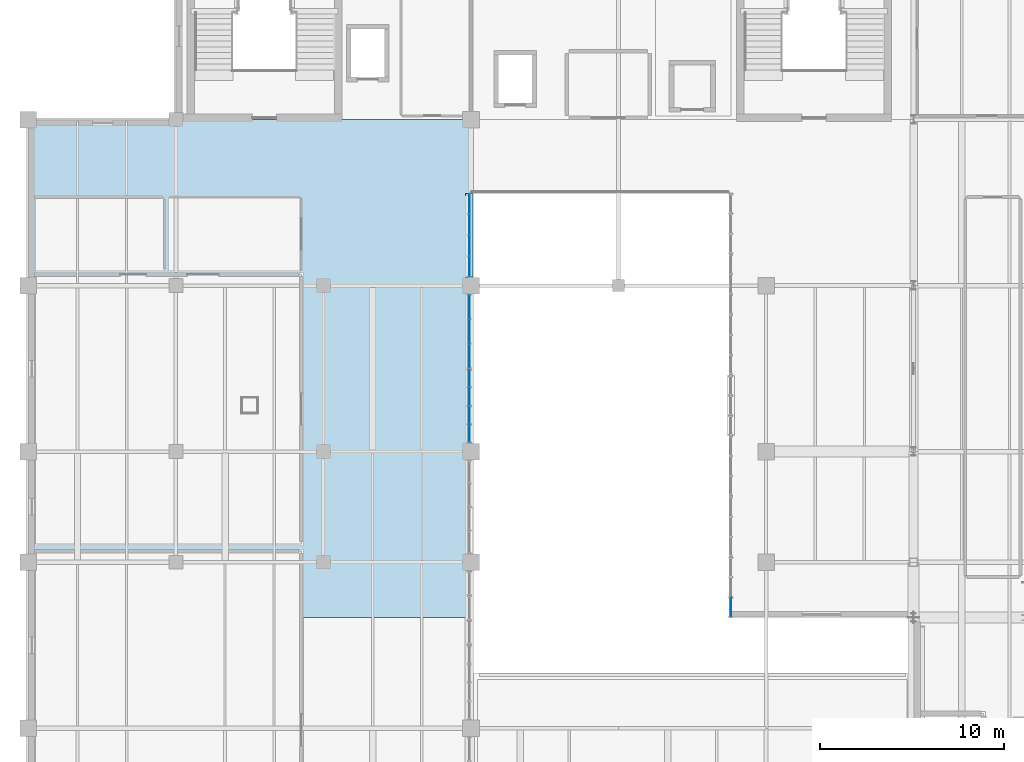
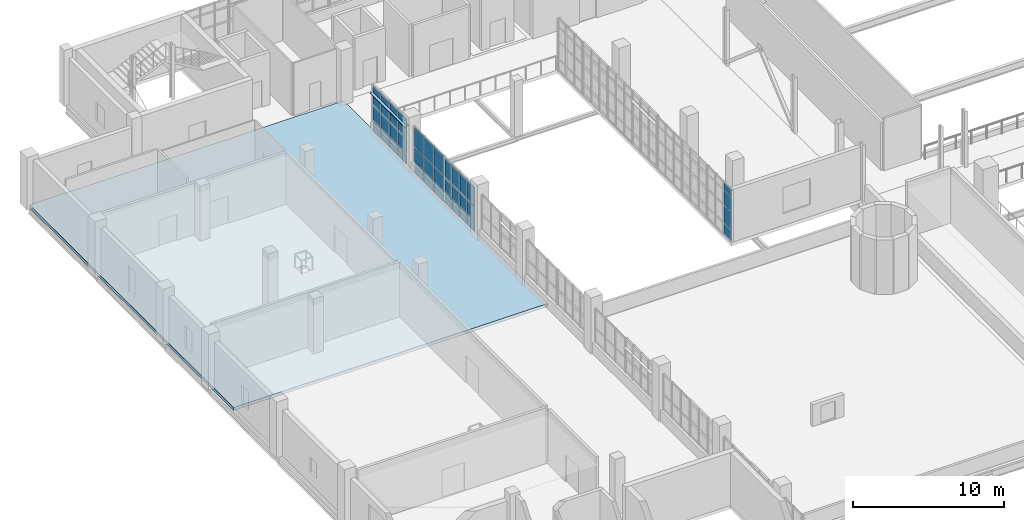
# One storey, part 53 of 85: 38 plates, 1 slab, 4 elements without a shape of their own.
"""IFC4 building model written with IfcOpenShell, lengths in metres."""

from ifc_helpers import new_model, si_unit, derived_unit, direction, frame, origin, origin_2d, place, context, subcontext, project, spatial, polyline, rectangle, outline, extrude, material, layer, layer_set, type_object, element, aggregate, save


model = new_model("IFC4")

# Units and contexts
model_context = context("Model", 3, precision=1e-05, world=origin(), true_north=direction((0.0, 1.0)))
body_context = subcontext(model_context, "Body", "Model", "MODEL_VIEW")
ifc_project = project(units=[si_unit("LENGTHUNIT", "METRE"), si_unit("AREAUNIT", "SQUARE_METRE"), si_unit("VOLUMEUNIT", "CUBIC_METRE"), si_unit("PLANEANGLEUNIT", "RADIAN"), si_unit("MASSUNIT", "GRAM", prefix="KILO"), derived_unit("THERMALTRANSMITTANCEUNIT", [(si_unit("POWERUNIT", "WATT"), 1), (si_unit("LENGTHUNIT", "METRE"), -2), (si_unit("THERMODYNAMICTEMPERATUREUNIT", "KELVIN"), -1)])], contexts=[model_context])

# Site, building, storey
site_placement = place(None, origin())
site = spatial("IfcSite", under=ifc_project, at=site_placement, CompositionType="ELEMENT")
building_placement = place(site_placement, origin())
building = spatial("IfcBuilding", under=site, at=building_placement, Name="Nallur Shell Playhouse", CompositionType="ELEMENT")
storey_placement = place(building_placement, frame((0.0, 0.0, 19.800048828125)))
storey = spatial("IfcBuildingStorey", under=building, at=storey_placement, Name="L05", CompositionType="ELEMENT", Elevation=19.800048828125)

# Curtain wall, plates
ifc_material_1 = material(Name="Anodised Aluminium Double-Glazed Facade System", Category="aluminium")
ifc_layer_1 = layer(ifc_material_1, 0.159912109375)
ifc_layer_set_1 = layer_set([ifc_layer_1], Name="Anodised Aluminium Double-Glazed Facade System")
curtain_wall_type_1 = type_object("IfcCurtainWallType", Name="CW-UNIT-12", PredefinedType="NOTDEFINED", material=ifc_layer_set_1)
curtain_wall_1_placement = place(storey_placement, origin())
curtain_wall_1 = element("IfcCurtainWall", 1, at=curtain_wall_1_placement, inside=storey, type_object=curtain_wall_type_1, Name="Unitised curtain wall CW-172 (L05)", PredefinedType="NOTDEFINED")
ifc_material_2 = material(Name="Solar-Control Low-E Laminated Insulating Glass", Category="glass")
ifc_layer_2 = layer(ifc_material_2, 0.031982421875)
ifc_layer_set_2 = layer_set([ifc_layer_2], Name="Solar-Control Low-E Laminated Insulating Glass")
plate_type_1 = type_object("IfcPlateType", Name="PT-GLZ-04", PredefinedType="CURTAIN_PANEL", material=ifc_layer_set_2)
plate_1_placement = place(storey_placement, frame((39.909912109375, 69.416015625, 0.091796875), z_axis=(0.0, 0.0, 1.0), x_axis=(0.0, -1.0, 0.0)))
plate_1 = element("IfcPlate", 2, at=plate_1_placement, type_object=plate_type_1, Name="CW-12 panel 1.1", PredefinedType="CURTAIN_PANEL", context=body_context, shape_type="SweptSolid", body=[
    extrude(rectangle(XDim=1.053955078125, YDim=0.031982421875, at=origin_2d()), origin(), (0.0, 0.0, 1.0), 0.76611328125),
])
plate_2_placement = place(storey_placement, frame((39.909912109375, 69.416015625, 0.94189453125), z_axis=(0.0, 0.0, 1.0), x_axis=(0.0, -1.0, 0.0)))
plate_2 = element("IfcPlate", 3, at=plate_2_placement, type_object=plate_type_1, Name="CW-12 panel 1.2", PredefinedType="CURTAIN_PANEL", context=body_context, shape_type="SweptSolid", body=[
    extrude(rectangle(XDim=1.053955078125, YDim=0.031982421875, at=origin_2d()), origin(), (0.0, 0.0, 1.0), 1.1640625),
])
plate_3_placement = place(storey_placement, frame((39.909912109375, 69.416015625, 2.18994140625), z_axis=(0.0, 0.0, 1.0), x_axis=(0.0, -1.0, 0.0)))
plate_3 = element("IfcPlate", 4, at=plate_3_placement, type_object=plate_type_1, Name="CW-12 panel 1.3", PredefinedType="CURTAIN_PANEL", context=body_context, shape_type="SweptSolid", body=[
    extrude(rectangle(XDim=1.053955078125, YDim=0.031982421875, at=origin_2d()), origin(), (0.0, 0.0, 1.0), 1.552978515625),
])
plate_4_placement = place(storey_placement, frame((39.909912109375, 68.296630859375, 0.091796875), z_axis=(0.0, 0.0, 1.0), x_axis=(0.0, -1.0, 0.0)))
plate_4 = element("IfcPlate", 5, at=plate_4_placement, type_object=plate_type_1, Name="CW-12 panel 2.1", PredefinedType="CURTAIN_PANEL", context=body_context, shape_type="SweptSolid", body=[
    extrude(rectangle(XDim=1.08642578125, YDim=0.031982421875, at=origin_2d()), origin(), (0.0, 0.0, 1.0), 0.76611328125),
])
plate_5_placement = place(storey_placement, frame((39.909912109375, 68.296630859375, 0.94189453125), z_axis=(0.0, 0.0, 1.0), x_axis=(0.0, -1.0, 0.0)))
plate_5 = element("IfcPlate", 6, at=plate_5_placement, type_object=plate_type_1, Name="CW-12 panel 2.2", PredefinedType="CURTAIN_PANEL", context=body_context, shape_type="SweptSolid", body=[
    extrude(rectangle(XDim=1.08642578125, YDim=0.031982421875, at=origin_2d()), origin(), (0.0, 0.0, 1.0), 1.1640625),
])
plate_6_placement = place(storey_placement, frame((39.909912109375, 68.296630859375, 2.18994140625), z_axis=(0.0, 0.0, 1.0), x_axis=(0.0, -1.0, 0.0)))
plate_6 = element("IfcPlate", 7, at=plate_6_placement, type_object=plate_type_1, Name="CW-12 panel 2.3", PredefinedType="CURTAIN_PANEL", context=body_context, shape_type="SweptSolid", body=[
    extrude(rectangle(XDim=1.08642578125, YDim=0.031982421875, at=origin_2d()), origin(), (0.0, 0.0, 1.0), 1.552978515625),
])
plate_7_placement = place(storey_placement, frame((39.909912109375, 67.1611328125, 0.091796875), z_axis=(0.0, 0.0, 1.0), x_axis=(0.0, -1.0, 0.0)))
plate_7 = element("IfcPlate", 8, at=plate_7_placement, type_object=plate_type_1, Name="CW-12 panel 3.1", PredefinedType="CURTAIN_PANEL", context=body_context, shape_type="SweptSolid", body=[
    extrude(rectangle(XDim=1.08642578125, YDim=0.031982421875, at=origin_2d()), origin(), (0.0, 0.0, 1.0), 0.76611328125),
])
plate_8_placement = place(storey_placement, frame((39.909912109375, 67.1611328125, 0.94189453125), z_axis=(0.0, 0.0, 1.0), x_axis=(0.0, -1.0, 0.0)))
plate_8 = element("IfcPlate", 9, at=plate_8_placement, type_object=plate_type_1, Name="CW-12 panel 3.2", PredefinedType="CURTAIN_PANEL", context=body_context, shape_type="SweptSolid", body=[
    extrude(rectangle(XDim=1.08642578125, YDim=0.031982421875, at=origin_2d()), origin(), (0.0, 0.0, 1.0), 1.1640625),
])
plate_9_placement = place(storey_placement, frame((39.909912109375, 67.1611328125, 2.18994140625), z_axis=(0.0, 0.0, 1.0), x_axis=(0.0, -1.0, 0.0)))
plate_9 = element("IfcPlate", 10, at=plate_9_placement, type_object=plate_type_1, Name="CW-12 panel 3.3", PredefinedType="CURTAIN_PANEL", context=body_context, shape_type="SweptSolid", body=[
    extrude(rectangle(XDim=1.08642578125, YDim=0.031982421875, at=origin_2d()), origin(), (0.0, 0.0, 1.0), 1.552978515625),
])
plate_10_placement = place(storey_placement, frame((39.909912109375, 66.0419921875, 0.091796875), z_axis=(0.0, 0.0, 1.0), x_axis=(0.0, -1.0, 0.0)))
plate_10 = element("IfcPlate", 11, at=plate_10_placement, type_object=plate_type_1, Name="CW-12 panel 4.1", PredefinedType="CURTAIN_PANEL", context=body_context, shape_type="SweptSolid", body=[
    extrude(rectangle(XDim=1.053955078125, YDim=0.031982421875, at=origin_2d()), origin(), (0.0, 0.0, 1.0), 0.76611328125),
])
plate_11_placement = place(storey_placement, frame((39.909912109375, 66.0419921875, 0.94189453125), z_axis=(0.0, 0.0, 1.0), x_axis=(0.0, -1.0, 0.0)))
plate_11 = element("IfcPlate", 12, at=plate_11_placement, type_object=plate_type_1, Name="CW-12 panel 4.2", PredefinedType="CURTAIN_PANEL", context=body_context, shape_type="SweptSolid", body=[
    extrude(rectangle(XDim=1.053955078125, YDim=0.031982421875, at=origin_2d()), origin(), (0.0, 0.0, 1.0), 1.1640625),
])
plate_12_placement = place(storey_placement, frame((39.909912109375, 66.0419921875, 2.18994140625), z_axis=(0.0, 0.0, 1.0), x_axis=(0.0, -1.0, 0.0)))
plate_12 = element("IfcPlate", 13, at=plate_12_placement, type_object=plate_type_1, Name="CW-12 panel 4.3", PredefinedType="CURTAIN_PANEL", context=body_context, shape_type="SweptSolid", body=[
    extrude(rectangle(XDim=1.053955078125, YDim=0.031982421875, at=origin_2d()), origin(), (0.0, 0.0, 1.0), 1.552978515625),
])
aggregate(curtain_wall_1, [plate_1, plate_2, plate_3, plate_4, plate_5, plate_6, plate_7, plate_8, plate_9, plate_10, plate_11, plate_12])

ifc_layer_3 = layer(ifc_material_1, 0.179931640625)
ifc_layer_set_3 = layer_set([ifc_layer_3], Name="Anodised Aluminium Double-Glazed Facade System")
curtain_wall_type_2 = type_object("IfcCurtainWallType", Name="CW-UNIT-05", PredefinedType="NOTDEFINED", material=ifc_layer_set_3)
curtain_wall_2_placement = place(storey_placement, origin())
curtain_wall_2 = element("IfcCurtainWall", 14, at=curtain_wall_2_placement, inside=storey, type_object=curtain_wall_type_2, Name="Unitised curtain wall CW-165 (L05)", PredefinedType="NOTDEFINED")
ifc_layer_4 = layer(ifc_material_2, 0.033935546875)
ifc_layer_set_4 = layer_set([ifc_layer_4], Name="Solar-Control Low-E Laminated Insulating Glass")
plate_type_2 = type_object("IfcPlateType", Name="PT-GLZ-05", PredefinedType="CURTAIN_PANEL", material=ifc_layer_set_4)
plate_13_placement = place(storey_placement, frame((54.090087890625, 47.5654296875, 0.05712890625), z_axis=(0.0, 0.0, 1.0), x_axis=(0.0, 1.0, 0.0)))
plate_13 = element("IfcPlate", 15, at=plate_13_placement, type_object=plate_type_2, Name="CW-05 panel 1.1", PredefinedType="CURTAIN_PANEL", context=body_context, shape_type="SweptSolid", body=[
    extrude(rectangle(XDim=0.9970703125, YDim=0.033935546875, at=origin_2d()), origin(), (0.0, 0.0, 1.0), 0.818603515625),
])
plate_14_placement = place(storey_placement, frame((54.090087890625, 47.5654296875, 0.924560546875), z_axis=(0.0, 0.0, 1.0), x_axis=(0.0, 1.0, 0.0)))
plate_14 = element("IfcPlate", 16, at=plate_14_placement, type_object=plate_type_2, Name="CW-05 panel 1.2", PredefinedType="CURTAIN_PANEL", context=body_context, shape_type="SweptSolid", body=[
    extrude(rectangle(XDim=0.9970703125, YDim=0.033935546875, at=origin_2d()), origin(), (0.0, 0.0, 1.0), 1.419921875),
])
plate_15_placement = place(storey_placement, frame((54.090087890625, 47.5654296875, 2.3935546875), z_axis=(0.0, 0.0, 1.0), x_axis=(0.0, 1.0, 0.0)))
plate_15 = element("IfcPlate", 17, at=plate_15_placement, type_object=plate_type_2, Name="CW-05 panel 1.3", PredefinedType="CURTAIN_PANEL", context=body_context, shape_type="SweptSolid", body=[
    extrude(rectangle(XDim=0.9970703125, YDim=0.033935546875, at=origin_2d()), origin(), (0.0, 0.0, 1.0), 1.132080078125),
])
plate_16_placement = place(storey_placement, frame((54.090087890625, 47.5654296875, 3.57470703125), z_axis=(0.0, 0.0, 1.0), x_axis=(0.0, 1.0, 0.0)))
plate_16 = element("IfcPlate", 18, at=plate_16_placement, type_object=plate_type_2, Name="CW-05 panel 1.4", PredefinedType="CURTAIN_PANEL", context=body_context, shape_type="SweptSolid", body=[
    extrude(rectangle(XDim=0.9970703125, YDim=0.033935546875, at=origin_2d()), origin(), (0.0, 0.0, 1.0), 0.598388671875),
])
aggregate(curtain_wall_2, [plate_13, plate_14, plate_15, plate_16])

ifc_layer_5 = layer(ifc_material_1, 0.1640625)
ifc_layer_set_5 = layer_set([ifc_layer_5], Name="Anodised Aluminium Double-Glazed Facade System")
curtain_wall_type_3 = type_object("IfcCurtainWallType", Name="CW-UNIT-13", PredefinedType="NOTDEFINED", material=ifc_layer_set_5)
curtain_wall_3_placement = place(storey_placement, origin())
curtain_wall_3 = element("IfcCurtainWall", 19, at=curtain_wall_3_placement, inside=storey, type_object=curtain_wall_type_3, Name="Unitised curtain wall CW-173 (L05)", PredefinedType="NOTDEFINED")
plate_17_placement = place(storey_placement, frame((39.909912109375, 63.84912109375, 0.05712890625), z_axis=(0.0, 0.0, 1.0), x_axis=(0.0, -1.0, 0.0)))
plate_17 = element("IfcPlate", 20, at=plate_17_placement, type_object=plate_type_2, Name="CW-13 panel 1.1", PredefinedType="CURTAIN_PANEL", context=body_context, shape_type="SweptSolid", body=[
    extrude(rectangle(XDim=1.24169921875, YDim=0.033935546875, at=origin_2d()), origin(), (0.0, 0.0, 1.0), 0.818603515625),
])
plate_18_placement = place(storey_placement, frame((39.909912109375, 63.84912109375, 0.92431640625), z_axis=(0.0, 0.0, 1.0), x_axis=(0.0, -1.0, 0.0)))
plate_18 = element("IfcPlate", 21, at=plate_18_placement, type_object=plate_type_2, Name="CW-13 panel 1.2", PredefinedType="CURTAIN_PANEL", context=body_context, shape_type="SweptSolid", body=[
    extrude(rectangle(XDim=1.24169921875, YDim=0.033935546875, at=origin_2d()), origin(), (0.0, 0.0, 1.0), 1.158935546875),
])
plate_19_placement = place(storey_placement, frame((39.909912109375, 63.84912109375, 2.13232421875), z_axis=(0.0, 0.0, 1.0), x_axis=(0.0, -1.0, 0.0)))
plate_19 = element("IfcPlate", 22, at=plate_19_placement, type_object=plate_type_2, Name="CW-13 panel 1.3", PredefinedType="CURTAIN_PANEL", context=body_context, shape_type="SweptSolid", body=[
    extrude(rectangle(XDim=1.24169921875, YDim=0.033935546875, at=origin_2d()), origin(), (0.0, 0.0, 1.0), 1.575439453125),
])
plate_20_placement = place(storey_placement, frame((39.909912109375, 62.5234375, 0.05712890625), z_axis=(0.0, 0.0, 1.0), x_axis=(0.0, -1.0, 0.0)))
plate_20 = element("IfcPlate", 23, at=plate_20_placement, type_object=plate_type_2, Name="CW-13 panel 2.1", PredefinedType="CURTAIN_PANEL", context=body_context, shape_type="SweptSolid", body=[
    extrude(rectangle(XDim=1.28173828125, YDim=0.033935546875, at=origin_2d()), origin(), (0.0, 0.0, 1.0), 0.818603515625),
])
plate_21_placement = place(storey_placement, frame((39.909912109375, 62.5234375, 0.92431640625), z_axis=(0.0, 0.0, 1.0), x_axis=(0.0, -1.0, 0.0)))
plate_21 = element("IfcPlate", 24, at=plate_21_placement, type_object=plate_type_2, Name="CW-13 panel 2.2", PredefinedType="CURTAIN_PANEL", context=body_context, shape_type="SweptSolid", body=[
    extrude(rectangle(XDim=1.28173828125, YDim=0.033935546875, at=origin_2d()), origin(), (0.0, 0.0, 1.0), 1.158935546875),
])
plate_22_placement = place(storey_placement, frame((39.909912109375, 62.5234375, 2.13232421875), z_axis=(0.0, 0.0, 1.0), x_axis=(0.0, -1.0, 0.0)))
plate_22 = element("IfcPlate", 25, at=plate_22_placement, type_object=plate_type_2, Name="CW-13 panel 2.3", PredefinedType="CURTAIN_PANEL", context=body_context, shape_type="SweptSolid", body=[
    extrude(rectangle(XDim=1.28173828125, YDim=0.033935546875, at=origin_2d()), origin(), (0.0, 0.0, 1.0), 1.575439453125),
])
plate_23_placement = place(storey_placement, frame((39.909912109375, 61.19775390625, 0.05712890625), z_axis=(0.0, 0.0, 1.0), x_axis=(0.0, -1.0, 0.0)))
plate_23 = element("IfcPlate", 26, at=plate_23_placement, type_object=plate_type_2, Name="CW-13 panel 3.1", PredefinedType="CURTAIN_PANEL", context=body_context, shape_type="SweptSolid", body=[
    extrude(rectangle(XDim=1.24169921875, YDim=0.033935546875, at=origin_2d()), origin(), (0.0, 0.0, 1.0), 0.818603515625),
])
plate_24_placement = place(storey_placement, frame((39.909912109375, 61.19775390625, 0.92431640625), z_axis=(0.0, 0.0, 1.0), x_axis=(0.0, -1.0, 0.0)))
plate_24 = element("IfcPlate", 27, at=plate_24_placement, type_object=plate_type_2, Name="CW-13 panel 3.2", PredefinedType="CURTAIN_PANEL", context=body_context, shape_type="SweptSolid", body=[
    extrude(rectangle(XDim=1.24169921875, YDim=0.033935546875, at=origin_2d()), origin(), (0.0, 0.0, 1.0), 1.158935546875),
])
plate_25_placement = place(storey_placement, frame((39.909912109375, 61.19775390625, 2.13232421875), z_axis=(0.0, 0.0, 1.0), x_axis=(0.0, -1.0, 0.0)))
plate_25 = element("IfcPlate", 28, at=plate_25_placement, type_object=plate_type_2, Name="CW-13 panel 3.3", PredefinedType="CURTAIN_PANEL", context=body_context, shape_type="SweptSolid", body=[
    extrude(rectangle(XDim=1.24169921875, YDim=0.033935546875, at=origin_2d()), origin(), (0.0, 0.0, 1.0), 1.575439453125),
])
aggregate(curtain_wall_3, [plate_17, plate_18, plate_19, plate_20, plate_21, plate_22, plate_23, plate_24, plate_25])

ifc_layer_6 = layer(ifc_material_1, 0.16796875)
ifc_layer_set_6 = layer_set([ifc_layer_6], Name="Anodised Aluminium Double-Glazed Facade System")
curtain_wall_type_4 = type_object("IfcCurtainWallType", Name="CW-UNIT-14", PredefinedType="NOTDEFINED", material=ifc_layer_set_6)
curtain_wall_4_placement = place(storey_placement, origin())
curtain_wall_4 = element("IfcCurtainWall", 29, at=curtain_wall_4_placement, inside=storey, type_object=curtain_wall_type_4, Name="Unitised curtain wall CW-174 (L05)", PredefinedType="NOTDEFINED")
ifc_layer_7 = layer(ifc_material_2, 0.035888671875)
ifc_layer_set_7 = layer_set([ifc_layer_7], Name="Solar-Control Low-E Laminated Insulating Glass")
plate_type_3 = type_object("IfcPlateType", Name="PT-GLZ-06", PredefinedType="CURTAIN_PANEL", material=ifc_layer_set_7)
plate_26_placement = place(storey_placement, frame((39.909912109375, 59.9716796875, 0.091796875), z_axis=(0.0, 0.0, 1.0), x_axis=(0.0, -1.0, 0.0)))
plate_26 = element("IfcPlate", 30, at=plate_26_placement, type_object=plate_type_3, Name="CW-14 panel 1.1", PredefinedType="CURTAIN_PANEL", context=body_context, shape_type="SweptSolid", body=[
    extrude(rectangle(XDim=0.912841796875, YDim=0.035888671875, at=origin_2d()), origin(), (0.0, 0.0, 1.0), 0.76611328125),
])
plate_27_placement = place(storey_placement, frame((39.909912109375, 59.9716796875, 0.94189453125), z_axis=(0.0, 0.0, 1.0), x_axis=(0.0, -1.0, 0.0)))
plate_27 = element("IfcPlate", 31, at=plate_27_placement, type_object=plate_type_3, Name="CW-14 panel 1.2", PredefinedType="CURTAIN_PANEL", context=body_context, shape_type="SweptSolid", body=[
    extrude(rectangle(XDim=0.912841796875, YDim=0.035888671875, at=origin_2d()), origin(), (0.0, 0.0, 1.0), 1.113037109375),
])
plate_28_placement = place(storey_placement, frame((39.909912109375, 59.9716796875, 2.13916015625), z_axis=(0.0, 0.0, 1.0), x_axis=(0.0, -1.0, 0.0)))
plate_28 = element("IfcPlate", 32, at=plate_28_placement, type_object=plate_type_3, Name="CW-14 panel 1.3", PredefinedType="CURTAIN_PANEL", context=body_context, shape_type="SweptSolid", body=[
    extrude(rectangle(XDim=0.912841796875, YDim=0.035888671875, at=origin_2d()), origin(), (0.0, 0.0, 1.0), 1.513916015625),
])
plate_29_placement = place(storey_placement, frame((39.909912109375, 58.981201171875, 0.091796875), z_axis=(0.0, 0.0, 1.0), x_axis=(0.0, -1.0, 0.0)))
plate_29 = element("IfcPlate", 33, at=plate_29_placement, type_object=plate_type_3, Name="CW-14 panel 2.1", PredefinedType="CURTAIN_PANEL", context=body_context, shape_type="SweptSolid", body=[
    extrude(rectangle(XDim=0.9501953125, YDim=0.035888671875, at=origin_2d()), origin(), (0.0, 0.0, 1.0), 0.76611328125),
])
plate_30_placement = place(storey_placement, frame((39.909912109375, 58.981201171875, 0.94189453125), z_axis=(0.0, 0.0, 1.0), x_axis=(0.0, -1.0, 0.0)))
plate_30 = element("IfcPlate", 34, at=plate_30_placement, type_object=plate_type_3, Name="CW-14 panel 2.2", PredefinedType="CURTAIN_PANEL", context=body_context, shape_type="SweptSolid", body=[
    extrude(rectangle(XDim=0.9501953125, YDim=0.035888671875, at=origin_2d()), origin(), (0.0, 0.0, 1.0), 1.113037109375),
])
plate_31_placement = place(storey_placement, frame((39.909912109375, 58.981201171875, 2.13916015625), z_axis=(0.0, 0.0, 1.0), x_axis=(0.0, -1.0, 0.0)))
plate_31 = element("IfcPlate", 35, at=plate_31_placement, type_object=plate_type_3, Name="CW-14 panel 2.3", PredefinedType="CURTAIN_PANEL", context=body_context, shape_type="SweptSolid", body=[
    extrude(rectangle(XDim=0.9501953125, YDim=0.035888671875, at=origin_2d()), origin(), (0.0, 0.0, 1.0), 1.513916015625),
])
plate_32_placement = place(storey_placement, frame((39.909912109375, 57.971923828125, 0.091796875), z_axis=(0.0, 0.0, 1.0), x_axis=(0.0, -1.0, 0.0)))
plate_32 = element("IfcPlate", 36, at=plate_32_placement, type_object=plate_type_3, Name="CW-14 panel 3.1", PredefinedType="CURTAIN_PANEL", context=body_context, shape_type="SweptSolid", body=[
    extrude(rectangle(XDim=0.9501953125, YDim=0.035888671875, at=origin_2d()), origin(), (0.0, 0.0, 1.0), 0.76611328125),
])
plate_33_placement = place(storey_placement, frame((39.909912109375, 57.971923828125, 0.94189453125), z_axis=(0.0, 0.0, 1.0), x_axis=(0.0, -1.0, 0.0)))
plate_33 = element("IfcPlate", 37, at=plate_33_placement, type_object=plate_type_3, Name="CW-14 panel 3.2", PredefinedType="CURTAIN_PANEL", context=body_context, shape_type="SweptSolid", body=[
    extrude(rectangle(XDim=0.9501953125, YDim=0.035888671875, at=origin_2d()), origin(), (0.0, 0.0, 1.0), 1.113037109375),
])
plate_34_placement = place(storey_placement, frame((39.909912109375, 57.971923828125, 2.13916015625), z_axis=(0.0, 0.0, 1.0), x_axis=(0.0, -1.0, 0.0)))
plate_34 = element("IfcPlate", 38, at=plate_34_placement, type_object=plate_type_3, Name="CW-14 panel 3.3", PredefinedType="CURTAIN_PANEL", context=body_context, shape_type="SweptSolid", body=[
    extrude(rectangle(XDim=0.9501953125, YDim=0.035888671875, at=origin_2d()), origin(), (0.0, 0.0, 1.0), 1.513916015625),
])
plate_35_placement = place(storey_placement, frame((39.909912109375, 56.9814453125, 0.091796875), z_axis=(0.0, 0.0, 1.0), x_axis=(0.0, -1.0, 0.0)))
plate_35 = element("IfcPlate", 39, at=plate_35_placement, type_object=plate_type_3, Name="CW-14 panel 4.1", PredefinedType="CURTAIN_PANEL", context=body_context, shape_type="SweptSolid", body=[
    extrude(rectangle(XDim=0.912841796875, YDim=0.035888671875, at=origin_2d()), origin(), (0.0, 0.0, 1.0), 0.76611328125),
])
plate_36_placement = place(storey_placement, frame((39.909912109375, 56.9814453125, 0.94189453125), z_axis=(0.0, 0.0, 1.0), x_axis=(0.0, -1.0, 0.0)))
plate_36 = element("IfcPlate", 40, at=plate_36_placement, type_object=plate_type_3, Name="CW-14 panel 4.2", PredefinedType="CURTAIN_PANEL", context=body_context, shape_type="SweptSolid", body=[
    extrude(rectangle(XDim=0.912841796875, YDim=0.035888671875, at=origin_2d()), origin(), (0.0, 0.0, 1.0), 1.113037109375),
])
plate_37_placement = place(storey_placement, frame((39.909912109375, 56.9814453125, 2.13916015625), z_axis=(0.0, 0.0, 1.0), x_axis=(0.0, -1.0, 0.0)))
plate_37 = element("IfcPlate", 41, at=plate_37_placement, type_object=plate_type_3, Name="CW-14 panel 4.3", PredefinedType="CURTAIN_PANEL", context=body_context, shape_type="SweptSolid", body=[
    extrude(rectangle(XDim=0.912841796875, YDim=0.035888671875, at=origin_2d()), origin(), (0.0, 0.0, 1.0), 1.513916015625),
])
aggregate(curtain_wall_4, [plate_26, plate_27, plate_28, plate_29, plate_30, plate_31, plate_32, plate_33, plate_34, plate_35, plate_36, plate_37])

# Plate
ifc_material_3 = material(Name="Terracotta & Gold-Anodised Monsoon Sunshade Blade", Category="masonry")
ifc_layer_8 = layer(ifc_material_3, 0.054931640625)
ifc_layer_set_8 = layer_set([ifc_layer_8], Name="Terracotta & Gold-Anodised Monsoon Sunshade Blade")
plate_type_4 = type_object("IfcPlateType", Name="PT-LOUVRE-03", PredefinedType="USERDEFINED", material=ifc_layer_set_8)
plate_38_placement = place(storey_placement, frame((39.909912109375, 67.72900390625, 3.12744140625), z_axis=(0.0, 0.0, 1.0), x_axis=(0.0, -1.0, 0.0)))
element("IfcPlate", 42, at=plate_38_placement, inside=storey, type_object=plate_type_4, Name="Monsoon sunshade louvre blade LV-043", ObjectType="SUNSHADE LOUVRE", PredefinedType="USERDEFINED", context=body_context, shape_type="SweptSolid", body=[
    extrude(rectangle(XDim=4.501953125, YDim=0.419921875, at=origin_2d()), origin(), (0.0, 0.0, 1.0), 0.054931640625),
])

# Slab
ifc_material_4 = material(Name="Concrete M30", Category="concrete")
ifc_layer_9 = layer(ifc_material_4, 0.25)
ifc_layer_set_9 = layer_set([ifc_layer_9], Name="Concrete M30")
slab_type = type_object("IfcSlabType", Name="SL-UPPER-250", PredefinedType="FLOOR", material=ifc_layer_set_9)
slab_placement = place(storey_placement, frame((0.0, 0.0, -0.25)))
element("IfcSlab", 43, at=slab_placement, inside=storey, type_object=slab_type, Name="L05 structural floor slab panel 03", PredefinedType="FLOOR", context=body_context, shape_type="SweptSolid", body=[
    extrude(outline(polyline([(24.0, 74.0), (40.0, 74.0), (40.0, 70.0), (40.0, 47.0), (16.0, 47.0), (16.0, 74.0), (24.0, 74.0)]), holes=[polyline([(27.64990234375, 58.14990234375), (28.35009765625, 58.14990234375), (28.35009765625, 58.85009765625), (27.64990234375, 58.85009765625), (27.64990234375, 58.14990234375)])]), origin(), (0.0, 0.0, 1.0), 0.25),
])

save(model, "model.ifc")
